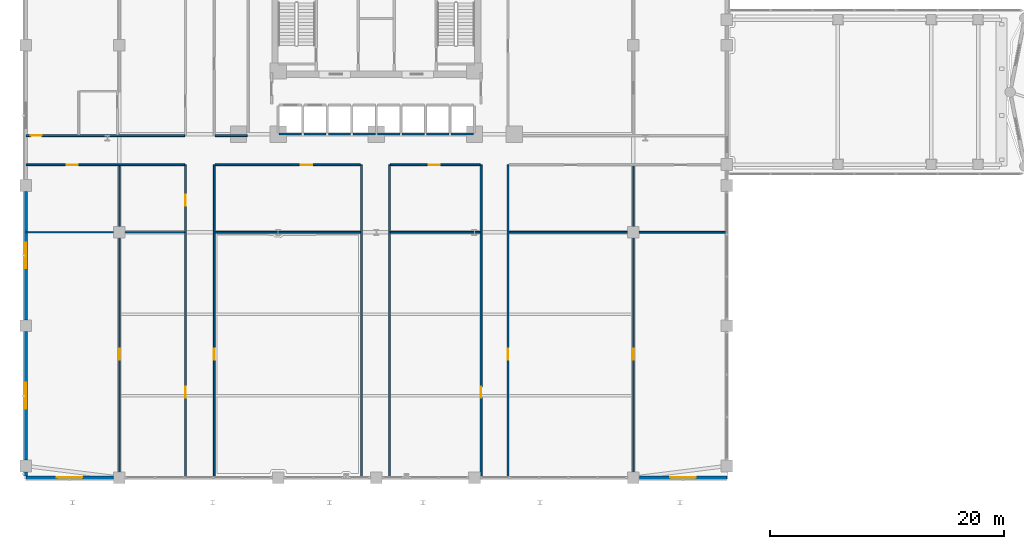
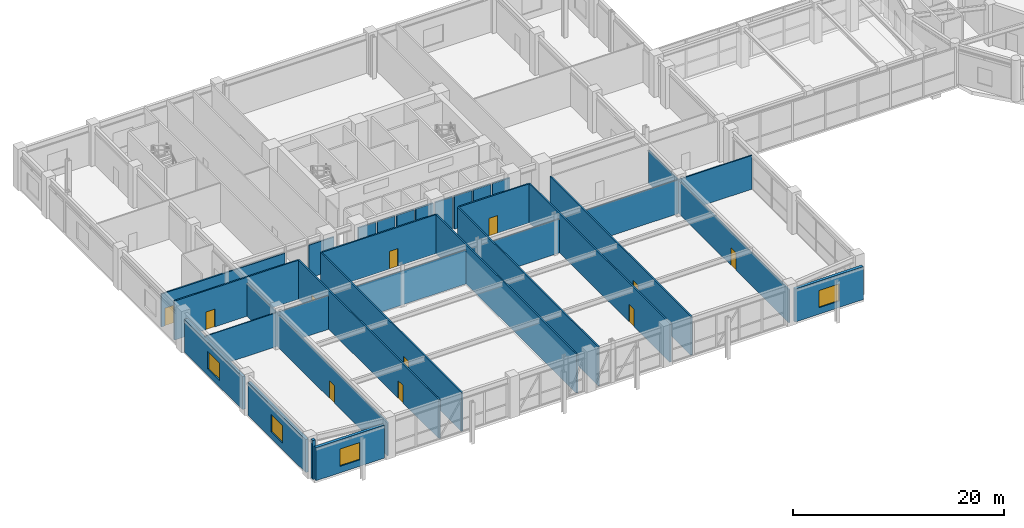
# One storey, part 32 of 48: 30 walls, 11 doors, 4 windows, 15 openings.
"""IFC4 building model written with IfcOpenShell, lengths in metres."""

from ifc_helpers import new_model, si_unit, derived_unit, direction, frame, frame_2d, origin, place, context, subcontext, project, spatial, rectangle, extrude, material, layer, layer_set, type_object, element, fill, save


model = new_model("IFC4")

# Units and contexts
model_context = context("Model", 3, precision=1e-05, world=origin(), true_north=direction((0.0, 1.0)))
body_context = subcontext(model_context, "Body", "Model", "MODEL_VIEW")
ifc_project = project(units=[si_unit("LENGTHUNIT", "METRE"), si_unit("AREAUNIT", "SQUARE_METRE"), si_unit("VOLUMEUNIT", "CUBIC_METRE"), si_unit("PLANEANGLEUNIT", "RADIAN"), si_unit("MASSUNIT", "GRAM", prefix="KILO"), derived_unit("THERMALTRANSMITTANCEUNIT", [(si_unit("POWERUNIT", "WATT"), 1), (si_unit("LENGTHUNIT", "METRE"), -2), (si_unit("THERMODYNAMICTEMPERATUREUNIT", "KELVIN"), -1)])], contexts=[model_context])

# Site, building, storey
site_placement = place(None, origin())
site = spatial("IfcSite", under=ifc_project, at=site_placement, CompositionType="ELEMENT")
building_placement = place(site_placement, origin())
building = spatial("IfcBuilding", under=site, at=building_placement, Name="Korsvarv Bourse and Concert Hall", CompositionType="ELEMENT")
storey_placement = place(building_placement, frame((0.0, 0.0, 4.800048828125)))
storey = spatial("IfcBuildingStorey", under=building, at=storey_placement, Name="L01", CompositionType="ELEMENT", Elevation=4.800048828125)

# Wall, opening, window
ifc_material_1 = material(Name="Precast concrete C45/55 with granite and terracotta", Category="concrete")
ifc_layer_1 = layer(ifc_material_1, 0.320068359375)
ifc_layer_set_1 = layer_set([ifc_layer_1], Name="Precast concrete C45/55 with granite and terracotta")
wall_type_1 = type_object("IfcWallType", Name="WL-EXT-POD", PredefinedType="SOLIDWALL", material=ifc_layer_set_1)
wall_1_placement = place(storey_placement, frame((6.0, 3.0, 0.0), z_axis=(0.0, 0.0, 1.0), x_axis=(1.0, 0.0, 0.0)))
wall_1 = element("IfcWall", 1, at=wall_1_placement, inside=storey, type_object=wall_type_1, Name="L01 terracotta exterior wall EW-L01-S1", PredefinedType="SOLIDWALL", context=body_context, shape_type="SweptSolid", body=[
    extrude(rectangle(XDim=7.4951171875, YDim=0.320068359375, at=frame_2d((3.74755859375, 0.0))), origin(), (0.0, 0.0, 1.0), 3.820068359375),
])
opening_1_placement = place(wall_1_placement, frame((2.6474609375, 0.0, 0.75)))
opening_1 = element("IfcOpeningElement", 2, at=opening_1_placement, cuts=wall_1, Name="Opening W-03", PredefinedType="OPENING", context=body_context, shape_type="SweptSolid", body=[
    extrude(rectangle(XDim=2.199951171875, YDim=2.0, at=frame_2d((1.10009765625, 1.0))), frame((0.0, 0.169921875, 0.0), z_axis=(0.0, -1.0, 0.0), x_axis=(1.0, 0.0, 0.0)), (0.0, 0.0, 1.0), 0.340087890625),
])
ifc_material_2 = material(Name="Thermally broken aluminium frame with triple low-E glass", Category="glass")
window_type = type_object("IfcWindowType", Name="WIN-POD1", PartitioningType="SINGLE_PANEL", PredefinedType="WINDOW", material=ifc_material_2)
window_1_placement = place(opening_1_placement, origin())
window_1 = element("IfcWindow", 3, at=window_1_placement, inside=storey, type_object=window_type, Name="L01 punched facade window W-03", OverallHeight=2.0, OverallWidth=2.199951171875, PartitioningType="SINGLE_PANEL", PredefinedType="WINDOW", context=body_context, shape_type="SweptSolid", body=[
    extrude(rectangle(XDim=2.199951171875, YDim=2.0, at=frame_2d((1.10009765625, 1.0))), frame((0.0, 0.030029296875, 0.0), z_axis=(0.0, -1.0, 0.0), x_axis=(1.0, 0.0, 0.0)), (0.0, 0.0, 1.0), 0.06005859375),
])
fill(opening_1, window_1)

wall_2_placement = place(storey_placement, frame((58.5048828125, 3.0, 0.0), z_axis=(0.0, 0.0, 1.0), x_axis=(1.0, 0.0, 0.0)))
wall_2 = element("IfcWall", 4, at=wall_2_placement, inside=storey, type_object=wall_type_1, Name="L01 terracotta exterior wall EW-L01-S6", PredefinedType="SOLIDWALL", context=body_context, shape_type="SweptSolid", body=[
    extrude(rectangle(XDim=7.4951171875, YDim=0.320068359375, at=frame_2d((3.74755859375, 0.0))), origin(), (0.0, 0.0, 1.0), 3.820068359375),
])
opening_2_placement = place(wall_2_placement, frame((2.6474609375, 0.0, 0.75)))
opening_2 = element("IfcOpeningElement", 5, at=opening_2_placement, cuts=wall_2, Name="Opening W-03", PredefinedType="OPENING", context=body_context, shape_type="SweptSolid", body=[
    extrude(rectangle(XDim=2.199951171875, YDim=2.0, at=frame_2d((1.10009765625, 1.0))), frame((0.0, 0.169921875, 0.0), z_axis=(0.0, -1.0, 0.0), x_axis=(1.0, 0.0, 0.0)), (0.0, 0.0, 1.0), 0.340087890625),
])
window_2_placement = place(opening_2_placement, origin())
window_2 = element("IfcWindow", 6, at=window_2_placement, inside=storey, type_object=window_type, Name="L01 punched facade window W-03", OverallHeight=2.0, OverallWidth=2.199951171875, PartitioningType="SINGLE_PANEL", PredefinedType="WINDOW", context=body_context, shape_type="SweptSolid", body=[
    extrude(rectangle(XDim=2.199951171875, YDim=2.0, at=frame_2d((1.10009765625, 1.0))), frame((0.0, 0.030029296875, 0.0), z_axis=(0.0, -1.0, 0.0), x_axis=(1.0, 0.0, 0.0)), (0.0, 0.0, 1.0), 0.06005859375),
])
fill(opening_2, window_2)

# Wall
wall_3_placement = place(storey_placement, frame((6.0, 3.159912109375, 0.0), z_axis=(0.0, 0.0, 1.0), x_axis=(0.0, 1.0, 0.0)))
element("IfcWall", 7, at=wall_3_placement, inside=storey, type_object=wall_type_1, Name="L01 terracotta exterior wall EW-L01-W1-1", PredefinedType="SOLIDWALL", context=body_context, shape_type="SweptSolid", body=[
    extrude(rectangle(XDim=0.335205078125, YDim=0.320068359375, at=frame_2d((0.16748046875, 0.0))), origin(), (0.0, 0.0, 1.0), 4.52001953125),
])

# Wall, opening, window
wall_4_placement = place(storey_placement, frame((6.0, 4.5048828125, 0.0), z_axis=(0.0, 0.0, 1.0), x_axis=(0.0, 1.0, 0.0)))
wall_4 = element("IfcWall", 8, at=wall_4_placement, inside=storey, type_object=wall_type_1, Name="L01 terracotta exterior wall EW-L01-W1-2", PredefinedType="SOLIDWALL", context=body_context, shape_type="SweptSolid", body=[
    extrude(rectangle(XDim=10.990234375, YDim=0.320068359375, at=frame_2d((5.4951171875, 0.0))), origin(), (0.0, 0.0, 1.0), 3.820068359375),
])
opening_3_placement = place(wall_4_placement, frame((4.39501953125, 0.0, 0.75)))
opening_3 = element("IfcOpeningElement", 9, at=opening_3_placement, cuts=wall_4, Name="Opening W-03", PredefinedType="OPENING", context=body_context, shape_type="SweptSolid", body=[
    extrude(rectangle(XDim=2.199951171875, YDim=2.0, at=frame_2d((1.10009765625, 1.0))), frame((0.0, 0.169921875, 0.0), z_axis=(0.0, -1.0, 0.0), x_axis=(1.0, 0.0, 0.0)), (0.0, 0.0, 1.0), 0.340087890625),
])
window_3_placement = place(opening_3_placement, origin())
window_3 = element("IfcWindow", 10, at=window_3_placement, inside=storey, type_object=window_type, Name="L01 punched facade window W-03", OverallHeight=2.0, OverallWidth=2.199951171875, PartitioningType="SINGLE_PANEL", PredefinedType="WINDOW", context=body_context, shape_type="SweptSolid", body=[
    extrude(rectangle(XDim=2.199951171875, YDim=2.0, at=frame_2d((1.10009765625, 1.0))), frame((0.0, 0.030029296875, 0.0), z_axis=(0.0, -1.0, 0.0), x_axis=(1.0, 0.0, 0.0)), (0.0, 0.0, 1.0), 0.06005859375),
])
fill(opening_3, window_3)

wall_5_placement = place(storey_placement, frame((6.0, 16.5048828125, 0.0), z_axis=(0.0, 0.0, 1.0), x_axis=(0.0, 1.0, 0.0)))
wall_5 = element("IfcWall", 11, at=wall_5_placement, inside=storey, type_object=wall_type_1, Name="L01 terracotta exterior wall EW-L01-W2", PredefinedType="SOLIDWALL", context=body_context, shape_type="SweptSolid", body=[
    extrude(rectangle(XDim=10.990234375, YDim=0.320068359375, at=frame_2d((5.4951171875, 0.0))), origin(), (0.0, 0.0, 1.0), 3.820068359375),
])
opening_4_placement = place(wall_5_placement, frame((4.39501953125, 0.0, 0.75)))
opening_4 = element("IfcOpeningElement", 12, at=opening_4_placement, cuts=wall_5, Name="Opening W-03", PredefinedType="OPENING", context=body_context, shape_type="SweptSolid", body=[
    extrude(rectangle(XDim=2.199951171875, YDim=2.0, at=frame_2d((1.10009765625, 1.0))), frame((0.0, 0.169921875, 0.0), z_axis=(0.0, -1.0, 0.0), x_axis=(1.0, 0.0, 0.0)), (0.0, 0.0, 1.0), 0.340087890625),
])
window_4_placement = place(opening_4_placement, origin())
window_4 = element("IfcWindow", 13, at=window_4_placement, inside=storey, type_object=window_type, Name="L01 punched facade window W-03", OverallHeight=2.0, OverallWidth=2.199951171875, PartitioningType="SINGLE_PANEL", PredefinedType="WINDOW", context=body_context, shape_type="SweptSolid", body=[
    extrude(rectangle(XDim=2.199951171875, YDim=2.0, at=frame_2d((1.10009765625, 1.0))), frame((0.0, 0.030029296875, 0.0), z_axis=(0.0, -1.0, 0.0), x_axis=(1.0, 0.0, 0.0)), (0.0, 0.0, 1.0), 0.06005859375),
])
fill(opening_4, window_4)

# Wall, opening, door
ifc_material_3 = material(Name="Double-stud fire-rated acoustic partition", Category="gypsum")
ifc_layer_2 = layer(ifc_material_3, 0.159912109375)
ifc_layer_set_2 = layer_set([ifc_layer_2], Name="Double-stud fire-rated acoustic partition")
wall_type_2 = type_object("IfcWallType", Name="WL-INT-EI60", PredefinedType="PARTITIONING", material=ifc_layer_set_2)
wall_6_placement = place(storey_placement, frame((47.27490234375, 3.02001953125, 0.0), z_axis=(0.0, 0.0, 1.0), x_axis=(0.0, 1.0, 0.0)))
wall_6 = element("IfcWall", 14, at=wall_6_placement, inside=storey, type_object=wall_type_2, Name="L01 interior partition wall W-L01-PCOR-01", PredefinedType="PARTITIONING", context=body_context, shape_type="SweptSolid", body=[
    extrude(rectangle(XDim=26.760009765625, YDim=0.159912109375, at=frame_2d((13.3798828125, 0.0))), origin(), (0.0, 0.0, 1.0), 4.52001953125),
])
opening_5_placement = place(wall_6_placement, frame((10.070068359375, 0.0, 0.0)))
opening_5 = element("IfcOpeningElement", 15, at=opening_5_placement, cuts=wall_6, Name="Opening D-02", PredefinedType="OPENING", context=body_context, shape_type="SweptSolid", body=[
    extrude(rectangle(XDim=0.949951171875, YDim=2.050048828125, at=frame_2d((0.47509765625, 1.02490234375))), frame((0.0, 0.08984375, 0.0), z_axis=(0.0, -1.0, 0.0), x_axis=(1.0, 0.0, 0.0)), (0.0, 0.0, 1.0), 0.179931640625),
])
ifc_material_4 = material(Name="Timber and steel acoustic fire door", Category="wood")
door_type_1 = type_object("IfcDoorType", Name="DR-FD30", OperationType="NOTDEFINED", PredefinedType="DOOR", material=ifc_material_4)
door_1_placement = place(opening_5_placement, origin())
door_1 = element("IfcDoor", 16, at=door_1_placement, inside=storey, type_object=door_type_1, Name="L01 interior door DR-L01-PCOR-RM11", OperationType="SINGLE_SWING_LEFT", OverallHeight=2.050048828125, OverallWidth=0.949951171875, PredefinedType="DOOR", context=body_context, shape_type="SweptSolid", body=[
    extrude(rectangle(XDim=0.949951171875, YDim=2.050048828125, at=frame_2d((0.47509765625, 1.02490234375))), frame((0.0, 0.02490234375, 0.0), z_axis=(0.0, -1.0, 0.0), x_axis=(1.0, 0.0, 0.0)), (0.0, 0.0, 1.0), 0.050048828125),
])
fill(opening_5, door_1)

wall_7_placement = place(storey_placement, frame((44.965087890625, 3.02001953125, 0.0), z_axis=(0.0, 0.0, 1.0), x_axis=(0.0, 1.0, 0.0)))
wall_7 = element("IfcWall", 17, at=wall_7_placement, inside=storey, type_object=wall_type_2, Name="L01 interior partition wall W-L01-PCOR-02", PredefinedType="PARTITIONING", context=body_context, shape_type="SweptSolid", body=[
    extrude(rectangle(XDim=26.760009765625, YDim=0.159912109375, at=frame_2d((13.3798828125, 0.0))), origin(), (0.0, 0.0, 1.0), 4.52001953125),
])
opening_6_placement = place(wall_7_placement, frame((6.820068359375, 0.0, 0.0)))
opening_6 = element("IfcOpeningElement", 18, at=opening_6_placement, cuts=wall_7, Name="Opening D-02", PredefinedType="OPENING", context=body_context, shape_type="SweptSolid", body=[
    extrude(rectangle(XDim=0.949951171875, YDim=2.050048828125, at=frame_2d((0.47509765625, 1.02490234375))), frame((0.0, 0.08984375, 0.0), z_axis=(0.0, -1.0, 0.0), x_axis=(1.0, 0.0, 0.0)), (0.0, 0.0, 1.0), 0.179931640625),
])
door_2_placement = place(opening_6_placement, origin())
door_2 = element("IfcDoor", 19, at=door_2_placement, inside=storey, type_object=door_type_1, Name="L01 interior door DR-L01-PCOR-HALL9", OperationType="SINGLE_SWING_RIGHT", OverallHeight=2.050048828125, OverallWidth=0.949951171875, PredefinedType="DOOR", context=body_context, shape_type="SweptSolid", body=[
    extrude(rectangle(XDim=0.949951171875, YDim=2.050048828125, at=frame_2d((0.47509765625, 1.02490234375))), frame((0.0, 0.02490234375, 0.0), z_axis=(0.0, -1.0, 0.0), x_axis=(1.0, 0.0, 0.0)), (0.0, 0.0, 1.0), 0.050048828125),
])
fill(opening_6, door_2)

# Wall
wall_8_placement = place(storey_placement, frame((37.125, 3.02001953125, 0.0), z_axis=(0.0, 0.0, 1.0), x_axis=(0.0, 1.0, 0.0)))
element("IfcWall", 20, at=wall_8_placement, inside=storey, type_object=wall_type_2, Name="L01 interior partition wall W-L01-PCOR-03", PredefinedType="PARTITIONING", context=body_context, shape_type="SweptSolid", body=[
    extrude(rectangle(XDim=26.760009765625, YDim=0.159912109375, at=frame_2d((13.3798828125, 0.0))), origin(), (0.0, 0.0, 1.0), 4.52001953125),
])

# Wall, opening, door
wall_9_placement = place(storey_placement, frame((22.125, 3.02001953125, 0.0), z_axis=(0.0, 0.0, 1.0), x_axis=(0.0, 1.0, 0.0)))
wall_9 = element("IfcWall", 21, at=wall_9_placement, inside=storey, type_object=wall_type_2, Name="L01 interior partition wall W-L01-PCOR-04", PredefinedType="PARTITIONING", context=body_context, shape_type="SweptSolid", body=[
    extrude(rectangle(XDim=26.760009765625, YDim=0.159912109375, at=frame_2d((13.3798828125, 0.0))), origin(), (0.0, 0.0, 1.0), 4.52001953125),
])
opening_7_placement = place(wall_9_placement, frame((10.070068359375, 0.0, 0.0)))
opening_7 = element("IfcOpeningElement", 22, at=opening_7_placement, cuts=wall_9, Name="Opening D-02", PredefinedType="OPENING", context=body_context, shape_type="SweptSolid", body=[
    extrude(rectangle(XDim=0.949951171875, YDim=2.050048828125, at=frame_2d((0.47509765625, 1.02490234375))), frame((0.0, 0.08984375, 0.0), z_axis=(0.0, -1.0, 0.0), x_axis=(1.0, 0.0, 0.0)), (0.0, 0.0, 1.0), 0.179931640625),
])
door_3_placement = place(opening_7_placement, origin())
door_3 = element("IfcDoor", 23, at=door_3_placement, inside=storey, type_object=door_type_1, Name="L01 interior door DR-L01-PCOR-RM1212", OperationType="SINGLE_SWING_LEFT", OverallHeight=2.050048828125, OverallWidth=0.949951171875, PredefinedType="DOOR", context=body_context, shape_type="SweptSolid", body=[
    extrude(rectangle(XDim=0.949951171875, YDim=2.050048828125, at=frame_2d((0.47509765625, 1.02490234375))), frame((0.0, 0.02490234375, 0.0), z_axis=(0.0, -1.0, 0.0), x_axis=(1.0, 0.0, 0.0)), (0.0, 0.0, 1.0), 0.050048828125),
])
fill(opening_7, door_3)

# Wall
wall_10_placement = place(storey_placement, frame((34.72509765625, 3.02001953125, 0.0), z_axis=(0.0, 0.0, 1.0), x_axis=(0.0, 1.0, 0.0)))
element("IfcWall", 24, at=wall_10_placement, inside=storey, type_object=wall_type_2, Name="L01 interior partition wall W-L01-PCOR-05", PredefinedType="PARTITIONING", context=body_context, shape_type="SweptSolid", body=[
    extrude(rectangle(XDim=26.760009765625, YDim=0.159912109375, at=frame_2d((13.3798828125, 0.0))), origin(), (0.0, 0.0, 1.0), 4.52001953125),
])

# Wall, openings, doors
wall_11_placement = place(storey_placement, frame((19.6650390625, 3.02001953125, 0.0), z_axis=(0.0, 0.0, 1.0), x_axis=(0.0, 1.0, 0.0)))
wall_11 = element("IfcWall", 25, at=wall_11_placement, inside=storey, type_object=wall_type_2, Name="L01 interior partition wall W-L01-PCOR-06", PredefinedType="PARTITIONING", context=body_context, shape_type="SweptSolid", body=[
    extrude(rectangle(XDim=26.760009765625, YDim=0.159912109375, at=frame_2d((13.3798828125, 0.0))), origin(), (0.0, 0.0, 1.0), 4.52001953125),
])
opening_8_placement = place(wall_11_placement, frame((6.820068359375, 0.0, 0.0)))
opening_8 = element("IfcOpeningElement", 26, at=opening_8_placement, cuts=wall_11, Name="Opening D-02", PredefinedType="OPENING", context=body_context, shape_type="SweptSolid", body=[
    extrude(rectangle(XDim=0.949951171875, YDim=2.050048828125, at=frame_2d((0.47509765625, 1.02490234375))), frame((0.0, 0.08984375, 0.0), z_axis=(0.0, -1.0, 0.0), x_axis=(1.0, 0.0, 0.0)), (0.0, 0.0, 1.0), 0.179931640625),
])
opening_9_placement = place(wall_11_placement, frame((23.237548828125, 0.0, 0.0)))
opening_9 = element("IfcOpeningElement", 27, at=opening_9_placement, cuts=wall_11, Name="Opening D-02", PredefinedType="OPENING", context=body_context, shape_type="SweptSolid", body=[
    extrude(rectangle(XDim=0.949951171875, YDim=2.050048828125, at=frame_2d((0.47509765625, 1.02490234375))), frame((0.0, 0.08984375, 0.0), z_axis=(0.0, -1.0, 0.0), x_axis=(1.0, 0.0, 0.0)), (0.0, 0.0, 1.0), 0.179931640625),
])
door_4_placement = place(opening_8_placement, origin())
door_4 = element("IfcDoor", 28, at=door_4_placement, inside=storey, type_object=door_type_1, Name="L01 interior door DR-L01-PCOR-RM1717", OperationType="SINGLE_SWING_RIGHT", OverallHeight=2.050048828125, OverallWidth=0.949951171875, PredefinedType="DOOR", context=body_context, shape_type="SweptSolid", body=[
    extrude(rectangle(XDim=0.949951171875, YDim=2.050048828125, at=frame_2d((0.47509765625, 1.02490234375))), frame((0.0, 0.02490234375, 0.0), z_axis=(0.0, -1.0, 0.0), x_axis=(1.0, 0.0, 0.0)), (0.0, 0.0, 1.0), 0.050048828125),
])
fill(opening_8, door_4)
door_5_placement = place(opening_9_placement, origin())
door_5 = element("IfcDoor", 29, at=door_5_placement, inside=storey, type_object=door_type_1, Name="L01 interior door DR-L01-PCOR-RM1919", OperationType="SINGLE_SWING_LEFT", OverallHeight=2.050048828125, OverallWidth=0.949951171875, PredefinedType="DOOR", context=body_context, shape_type="SweptSolid", body=[
    extrude(rectangle(XDim=0.949951171875, YDim=2.050048828125, at=frame_2d((0.47509765625, 1.02490234375))), frame((0.0, 0.02490234375, 0.0), z_axis=(0.0, -1.0, 0.0), x_axis=(1.0, 0.0, 0.0)), (0.0, 0.0, 1.0), 0.050048828125),
])
fill(opening_9, door_5)

# Wall, opening, door
wall_12_placement = place(storey_placement, frame((6.02001953125, 32.27490234375, 0.0), z_axis=(0.0, 0.0, 1.0), x_axis=(1.0, 0.0, 0.0)))
wall_12 = element("IfcWall", 30, at=wall_12_placement, inside=storey, type_object=wall_type_2, Name="L01 interior partition wall W-L01-PCOR-13", PredefinedType="PARTITIONING", context=body_context, shape_type="SweptSolid", body=[
    extrude(rectangle(XDim=13.56298828125, YDim=0.159912109375, at=frame_2d((6.781494140625, 0.0))), origin(), (0.0, 0.0, 1.0), 3.820068359375),
])
opening_10_placement = place(wall_12_placement, frame((0.3798828125, 0.0, 0.0)))
opening_10 = element("IfcOpeningElement", 31, at=opening_10_placement, cuts=wall_12, Name="Opening D-02", PredefinedType="OPENING", context=body_context, shape_type="SweptSolid", body=[
    extrude(rectangle(XDim=0.949951171875, YDim=2.050048828125, at=frame_2d((0.47509765625, 1.02490234375))), frame((0.0, 0.08984375, 0.0), z_axis=(0.0, -1.0, 0.0), x_axis=(1.0, 0.0, 0.0)), (0.0, 0.0, 1.0), 0.179931640625),
])
door_6_placement = place(opening_10_placement, origin())
door_6 = element("IfcDoor", 32, at=door_6_placement, inside=storey, type_object=door_type_1, Name="L01 interior door DR-L01-PCOR-RM2020", OperationType="SINGLE_SWING_LEFT", OverallHeight=2.050048828125, OverallWidth=0.949951171875, PredefinedType="DOOR", context=body_context, shape_type="SweptSolid", body=[
    extrude(rectangle(XDim=0.949951171875, YDim=2.050048828125, at=frame_2d((0.47509765625, 1.02490234375))), frame((0.0, 0.02490234375, 0.0), z_axis=(0.0, -1.0, 0.0), x_axis=(1.0, 0.0, 0.0)), (0.0, 0.0, 1.0), 0.050048828125),
])
fill(opening_10, door_6)

wall_13_placement = place(storey_placement, frame((6.02001953125, 29.77490234375, 0.0), z_axis=(0.0, 0.0, 1.0), x_axis=(1.0, 0.0, 0.0)))
wall_13 = element("IfcWall", 33, at=wall_13_placement, inside=storey, type_object=wall_type_2, Name="L01 interior partition wall W-L01-PCOR-14", PredefinedType="PARTITIONING", context=body_context, shape_type="SweptSolid", body=[
    extrude(rectangle(XDim=13.56298828125, YDim=0.159912109375, at=frame_2d((6.781494140625, 0.0))), origin(), (0.0, 0.0, 1.0), 4.52001953125),
])
opening_11_placement = place(wall_13_placement, frame((3.465087890625, 0.0, 0.0)))
opening_11 = element("IfcOpeningElement", 34, at=opening_11_placement, cuts=wall_13, Name="Opening D-02", PredefinedType="OPENING", context=body_context, shape_type="SweptSolid", body=[
    extrude(rectangle(XDim=0.949951171875, YDim=2.050048828125, at=frame_2d((0.47509765625, 1.02490234375))), frame((0.0, 0.08984375, 0.0), z_axis=(0.0, -1.0, 0.0), x_axis=(1.0, 0.0, 0.0)), (0.0, 0.0, 1.0), 0.179931640625),
])
door_7_placement = place(opening_11_placement, origin())
door_7 = element("IfcDoor", 35, at=door_7_placement, inside=storey, type_object=door_type_1, Name="L01 interior door DR-L01-PCOR-RM1818", OperationType="SINGLE_SWING_RIGHT", OverallHeight=2.050048828125, OverallWidth=0.949951171875, PredefinedType="DOOR", context=body_context, shape_type="SweptSolid", body=[
    extrude(rectangle(XDim=0.949951171875, YDim=2.050048828125, at=frame_2d((0.47509765625, 1.02490234375))), frame((0.0, 0.02490234375, 0.0), z_axis=(0.0, -1.0, 0.0), x_axis=(1.0, 0.0, 0.0)), (0.0, 0.0, 1.0), 0.050048828125),
])
fill(opening_11, door_7)

wall_14_placement = place(storey_placement, frame((22.20703125, 29.77490234375, 0.0), z_axis=(0.0, 0.0, 1.0), x_axis=(1.0, 0.0, 0.0)))
wall_14 = element("IfcWall", 36, at=wall_14_placement, inside=storey, type_object=wall_type_2, Name="L01 interior partition wall W-L01-PCOR-15", PredefinedType="PARTITIONING", context=body_context, shape_type="SweptSolid", body=[
    extrude(rectangle(XDim=12.43603515625, YDim=0.159912109375, at=frame_2d((6.218017578125, 0.0))), origin(), (0.0, 0.0, 1.0), 4.52001953125),
])
opening_12_placement = place(wall_14_placement, frame((7.337890625, 0.0, 0.0)))
opening_12 = element("IfcOpeningElement", 37, at=opening_12_placement, cuts=wall_14, Name="Opening D-02", PredefinedType="OPENING", context=body_context, shape_type="SweptSolid", body=[
    extrude(rectangle(XDim=0.949951171875, YDim=2.050048828125, at=frame_2d((0.47509765625, 1.02490234375))), frame((0.0, 0.08984375, 0.0), z_axis=(0.0, -1.0, 0.0), x_axis=(1.0, 0.0, 0.0)), (0.0, 0.0, 1.0), 0.179931640625),
])
door_8_placement = place(opening_12_placement, origin())
door_8 = element("IfcDoor", 38, at=door_8_placement, inside=storey, type_object=door_type_1, Name="L01 interior door DR-L01-PCOR-RM1313", OperationType="SINGLE_SWING_LEFT", OverallHeight=2.050048828125, OverallWidth=0.949951171875, PredefinedType="DOOR", context=body_context, shape_type="SweptSolid", body=[
    extrude(rectangle(XDim=0.949951171875, YDim=2.050048828125, at=frame_2d((0.47509765625, 1.02490234375))), frame((0.0, 0.02490234375, 0.0), z_axis=(0.0, -1.0, 0.0), x_axis=(1.0, 0.0, 0.0)), (0.0, 0.0, 1.0), 0.050048828125),
])
fill(opening_12, door_8)

wall_15_placement = place(storey_placement, frame((37.20703125, 29.77490234375, 0.0), z_axis=(0.0, 0.0, 1.0), x_axis=(1.0, 0.0, 0.0)))
wall_15 = element("IfcWall", 39, at=wall_15_placement, inside=storey, type_object=wall_type_2, Name="L01 interior partition wall W-L01-PCOR-18", PredefinedType="PARTITIONING", context=body_context, shape_type="SweptSolid", body=[
    extrude(rectangle(XDim=7.676025390625, YDim=0.159912109375, at=frame_2d((3.837890625, 0.0))), origin(), (0.0, 0.0, 1.0), 4.52001953125),
])
opening_13_placement = place(wall_15_placement, frame((3.258056640625, 0.0, 0.0)))
opening_13 = element("IfcOpeningElement", 40, at=opening_13_placement, cuts=wall_15, Name="Opening D-02", PredefinedType="OPENING", context=body_context, shape_type="SweptSolid", body=[
    extrude(rectangle(XDim=0.949951171875, YDim=2.050048828125, at=frame_2d((0.47509765625, 1.02490234375))), frame((0.0, 0.08984375, 0.0), z_axis=(0.0, -1.0, 0.0), x_axis=(1.0, 0.0, 0.0)), (0.0, 0.0, 1.0), 0.179931640625),
])
door_9_placement = place(opening_13_placement, origin())
door_9 = element("IfcDoor", 41, at=door_9_placement, inside=storey, type_object=door_type_1, Name="L01 interior door DR-L01-PCOR-MID10", OperationType="SINGLE_SWING_LEFT", OverallHeight=2.050048828125, OverallWidth=0.949951171875, PredefinedType="DOOR", context=body_context, shape_type="SweptSolid", body=[
    extrude(rectangle(XDim=0.949951171875, YDim=2.050048828125, at=frame_2d((0.47509765625, 1.02490234375))), frame((0.0, 0.02490234375, 0.0), z_axis=(0.0, -1.0, 0.0), x_axis=(1.0, 0.0, 0.0)), (0.0, 0.0, 1.0), 0.050048828125),
])
fill(opening_13, door_9)

# Walls
wall_16_placement = place(storey_placement, frame((22.20703125, 32.27490234375, 0.0), z_axis=(0.0, 0.0, 1.0), x_axis=(1.0, 0.0, 0.0)))
element("IfcWall", 42, at=wall_16_placement, inside=storey, type_object=wall_type_2, Name="L01 interior partition wall W-L01-PCOR-21", PredefinedType="PARTITIONING", context=body_context, shape_type="SweptSolid", body=[
    extrude(rectangle(XDim=2.736083984375, YDim=0.159912109375, at=frame_2d((1.3681640625, 0.0))), origin(), (0.0, 0.0, 1.0), 3.820068359375),
])
ifc_material_5 = material(Name="Gypsum-clad autoclaved concrete shaft wall C30/37", Category="concrete")
ifc_layer_3 = layer(ifc_material_5, 0.179931640625)
ifc_layer_set_3 = layer_set([ifc_layer_3], Name="Gypsum-clad autoclaved concrete shaft wall C30/37")
wall_type_3 = type_object("IfcWallType", Name="WL-INT-EI90", PredefinedType="PARTITIONING", material=ifc_layer_set_3)
wall_17_placement = place(storey_placement, frame((27.68994140625, 32.39990234375, 0.0), z_axis=(0.0, 0.0, 1.0), x_axis=(1.0, 0.0, 0.0)))
element("IfcWall", 43, at=wall_17_placement, inside=storey, type_object=wall_type_3, Name="L01 interior partition wall W-L01-SHFS-PL1", PredefinedType="PARTITIONING", context=body_context, shape_type="SweptSolid", body=[
    extrude(rectangle(XDim=1.920166015625, YDim=0.179931640625, at=frame_2d((0.9599609375, 0.0))), origin(), (0.0, 0.0, 1.0), 3.820068359375),
])
wall_18_placement = place(storey_placement, frame((29.7900390625, 32.39990234375, 0.0), z_axis=(0.0, 0.0, 1.0), x_axis=(1.0, 0.0, 0.0)))
element("IfcWall", 44, at=wall_18_placement, inside=storey, type_object=wall_type_3, Name="L01 interior partition wall W-L01-SHFS-PL2", PredefinedType="PARTITIONING", context=body_context, shape_type="SweptSolid", body=[
    extrude(rectangle(XDim=1.919921875, YDim=0.179931640625, at=frame_2d((0.9599609375, 0.0))), origin(), (0.0, 0.0, 1.0), 3.820068359375),
])
wall_19_placement = place(storey_placement, frame((31.889892578125, 32.39990234375, 0.0), z_axis=(0.0, 0.0, 1.0), x_axis=(1.0, 0.0, 0.0)))
element("IfcWall", 45, at=wall_19_placement, inside=storey, type_object=wall_type_3, Name="L01 interior partition wall W-L01-SHFS-PM1", PredefinedType="PARTITIONING", context=body_context, shape_type="SweptSolid", body=[
    extrude(rectangle(XDim=1.920166015625, YDim=0.179931640625, at=frame_2d((0.9599609375, 0.0))), origin(), (0.0, 0.0, 1.0), 3.820068359375),
])
for number, where, z_axis, x_axis, name in (
    (46, (33.989990234375, 32.39990234375, 0.0), (0.0, 0.0, 1.0), (1.0, 0.0, 0.0), "L01 interior partition wall W-L01-SHFS-PM2"),
    (47, (36.090087890625, 32.39990234375, 0.0), (0.0, 0.0, 1.0), (1.0, 0.0, 0.0), "L01 interior partition wall W-L01-SHFS-PH1"),
):
    element("IfcWall", number, at=place(storey_placement, frame(where, z_axis=z_axis, x_axis=x_axis)), inside=storey, type_object=wall_type_3, Name=name, PredefinedType="PARTITIONING", context=body_context, shape_type="SweptSolid", body=[
        extrude(rectangle(XDim=1.919921875, YDim=0.179931640625, at=frame_2d((0.9599609375, 0.0))), origin(), (0.0, 0.0, 1.0), 3.820068359375),
    ])
wall_20_placement = place(storey_placement, frame((38.18994140625, 32.39990234375, 0.0), z_axis=(0.0, 0.0, 1.0), x_axis=(1.0, 0.0, 0.0)))
element("IfcWall", 48, at=wall_20_placement, inside=storey, type_object=wall_type_3, Name="L01 interior partition wall W-L01-SHFS-PH2", PredefinedType="PARTITIONING", context=body_context, shape_type="SweptSolid", body=[
    extrude(rectangle(XDim=1.920166015625, YDim=0.179931640625, at=frame_2d((0.9599609375, 0.0))), origin(), (0.0, 0.0, 1.0), 3.820068359375),
])
wall_21_placement = place(storey_placement, frame((40.2900390625, 32.39990234375, 0.0), z_axis=(0.0, 0.0, 1.0), x_axis=(1.0, 0.0, 0.0)))
element("IfcWall", 49, at=wall_21_placement, inside=storey, type_object=wall_type_3, Name="L01 interior partition wall W-L01-SHFS-PO1", PredefinedType="PARTITIONING", context=body_context, shape_type="SweptSolid", body=[
    extrude(rectangle(XDim=1.919921875, YDim=0.179931640625, at=frame_2d((0.9599609375, 0.0))), origin(), (0.0, 0.0, 1.0), 3.820068359375),
])
wall_22_placement = place(storey_placement, frame((42.389892578125, 32.39990234375, 0.0), z_axis=(0.0, 0.0, 1.0), x_axis=(1.0, 0.0, 0.0)))
element("IfcWall", 50, at=wall_22_placement, inside=storey, type_object=wall_type_3, Name="L01 interior partition wall W-L01-SHFS-PO2", PredefinedType="PARTITIONING", context=body_context, shape_type="SweptSolid", body=[
    extrude(rectangle(XDim=1.920166015625, YDim=0.179931640625, at=frame_2d((0.9599609375, 0.0))), origin(), (0.0, 0.0, 1.0), 3.820068359375),
])
ifc_material_6 = material(Name="Demountable acoustic glass and aluminium dealing partition", Category="aluminium")
ifc_layer_4 = layer(ifc_material_6, 0.110107421875)
ifc_layer_set_4 = layer_set([ifc_layer_4], Name="Demountable acoustic glass and aluminium dealing partition")
wall_type_4 = type_object("IfcWallType", Name="WL-INT-MOV", PredefinedType="MOVABLE", material=ifc_layer_set_4)
wall_23_placement = place(storey_placement, frame((6.02001953125, 24.0048828125, 0.0), z_axis=(0.0, 0.0, 1.0), x_axis=(1.0, 0.0, 0.0)))
element("IfcWall", 51, at=wall_23_placement, inside=storey, type_object=wall_type_4, Name="L01 interior partition wall W-L01-PCOR-28", PredefinedType="MOVABLE", context=body_context, shape_type="SweptSolid", body=[
    extrude(rectangle(XDim=13.56298828125, YDim=0.110107421875, at=frame_2d((6.781494140625, 0.0))), origin(), (0.0, 0.0, 1.0), 3.919921875),
])

# Wall, opening, door
ifc_material_7 = material(Name="Insulated steel-stud office acoustic partition", Category="gypsum")
ifc_layer_5 = layer(ifc_material_7, 0.139892578125)
ifc_layer_set_5 = layer_set([ifc_layer_5], Name="Insulated steel-stud office acoustic partition")
wall_type_5 = type_object("IfcWallType", Name="WL-INT-P1", PredefinedType="PARTITIONING", material=ifc_layer_set_5)
wall_24_placement = place(storey_placement, frame((58.0048828125, 3.02001953125, 0.0), z_axis=(0.0, 0.0, 1.0), x_axis=(0.0, 1.0, 0.0)))
wall_24 = element("IfcWall", 52, at=wall_24_placement, inside=storey, type_object=wall_type_5, Name="L01 interior partition wall W-L01-PCOR-22", PredefinedType="PARTITIONING", context=body_context, shape_type="SweptSolid", body=[
    extrude(rectangle(XDim=26.673095703125, YDim=0.139892578125, at=frame_2d((13.33642578125, 0.0))), origin(), (0.0, 0.0, 1.0), 3.820068359375),
])
opening_14_placement = place(wall_24_placement, frame((10.070068359375, 0.0, 0.0)))
opening_14 = element("IfcOpeningElement", 53, at=opening_14_placement, cuts=wall_24, Name="Opening D-03", PredefinedType="OPENING", context=body_context, shape_type="SweptSolid", body=[
    extrude(rectangle(XDim=0.949951171875, YDim=2.050048828125, at=frame_2d((0.47509765625, 1.02490234375))), frame((0.0, 0.080078125, 0.0), z_axis=(0.0, -1.0, 0.0), x_axis=(1.0, 0.0, 0.0)), (0.0, 0.0, 1.0), 0.159912109375),
])
ifc_material_8 = material(Name="Nordic oak acoustic office door", Category="wood")
door_type_2 = type_object("IfcDoorType", Name="DR-INT-1", OperationType="NOTDEFINED", PredefinedType="DOOR", material=ifc_material_8)
door_10_placement = place(opening_14_placement, origin())
door_10 = element("IfcDoor", 54, at=door_10_placement, inside=storey, type_object=door_type_2, Name="L01 interior door DR-L01-PCOR-DEAL2", OperationType="SINGLE_SWING_LEFT", OverallHeight=2.050048828125, OverallWidth=0.949951171875, PredefinedType="DOOR", context=body_context, shape_type="SweptSolid", body=[
    extrude(rectangle(XDim=0.949951171875, YDim=2.050048828125, at=frame_2d((0.47509765625, 1.02490234375))), frame((0.0, 0.02490234375, 0.0), z_axis=(0.0, -1.0, 0.0), x_axis=(1.0, 0.0, 0.0)), (0.0, 0.0, 1.0), 0.050048828125),
])
fill(opening_14, door_10)

wall_25_placement = place(storey_placement, frame((14.0048828125, 3.02001953125, 0.0), z_axis=(0.0, 0.0, 1.0), x_axis=(0.0, 1.0, 0.0)))
wall_25 = element("IfcWall", 55, at=wall_25_placement, inside=storey, type_object=wall_type_5, Name="L01 interior partition wall W-L01-PCOR-23", PredefinedType="PARTITIONING", context=body_context, shape_type="SweptSolid", body=[
    extrude(rectangle(XDim=26.673095703125, YDim=0.139892578125, at=frame_2d((13.33642578125, 0.0))), origin(), (0.0, 0.0, 1.0), 3.820068359375),
])
opening_15_placement = place(wall_25_placement, frame((10.070068359375, 0.0, 0.0)))
opening_15 = element("IfcOpeningElement", 56, at=opening_15_placement, cuts=wall_25, Name="Opening D-03", PredefinedType="OPENING", context=body_context, shape_type="SweptSolid", body=[
    extrude(rectangle(XDim=0.949951171875, YDim=2.050048828125, at=frame_2d((0.47509765625, 1.02490234375))), frame((0.0, 0.080078125, 0.0), z_axis=(0.0, -1.0, 0.0), x_axis=(1.0, 0.0, 0.0)), (0.0, 0.0, 1.0), 0.159912109375),
])
door_11_placement = place(opening_15_placement, origin())
door_11 = element("IfcDoor", 57, at=door_11_placement, inside=storey, type_object=door_type_2, Name="L01 interior door DR-L01-PCOR-CLR16", OperationType="SINGLE_SWING_RIGHT", OverallHeight=2.050048828125, OverallWidth=0.949951171875, PredefinedType="DOOR", context=body_context, shape_type="SweptSolid", body=[
    extrude(rectangle(XDim=0.949951171875, YDim=2.050048828125, at=frame_2d((0.47509765625, 1.02490234375))), frame((0.0, 0.02490234375, 0.0), z_axis=(0.0, -1.0, 0.0), x_axis=(1.0, 0.0, 0.0)), (0.0, 0.0, 1.0), 0.050048828125),
])
fill(opening_15, door_11)

# Walls
wall_26_placement = place(storey_placement, frame((47.35693359375, 24.0048828125, 0.0), z_axis=(0.0, 0.0, 1.0), x_axis=(1.0, 0.0, 0.0)))
element("IfcWall", 58, at=wall_26_placement, inside=storey, type_object=wall_type_5, Name="L01 interior partition wall W-L01-PCOR-26", PredefinedType="PARTITIONING", context=body_context, shape_type="SweptSolid", body=[
    extrude(rectangle(XDim=18.623046875, YDim=0.139892578125, at=frame_2d((9.3115234375, 0.0))), origin(), (0.0, 0.0, 1.0), 3.919921875),
])
wall_27_placement = place(storey_placement, frame((22.20703125, 24.0048828125, 0.0), z_axis=(0.0, 0.0, 1.0), x_axis=(1.0, 0.0, 0.0)))
element("IfcWall", 59, at=wall_27_placement, inside=storey, type_object=wall_type_5, Name="L01 interior partition wall W-L01-PCOR-30", PredefinedType="PARTITIONING", context=body_context, shape_type="SweptSolid", body=[
    extrude(rectangle(XDim=12.43603515625, YDim=0.139892578125, at=frame_2d((6.218017578125, 0.0))), origin(), (0.0, 0.0, 1.0), 3.919921875),
])
wall_28_placement = place(storey_placement, frame((37.20703125, 24.0048828125, 0.0), z_axis=(0.0, 0.0, 1.0), x_axis=(1.0, 0.0, 0.0)))
element("IfcWall", 60, at=wall_28_placement, inside=storey, type_object=wall_type_5, Name="L01 interior partition wall W-L01-PCOR-31", PredefinedType="PARTITIONING", context=body_context, shape_type="SweptSolid", body=[
    extrude(rectangle(XDim=7.676025390625, YDim=0.139892578125, at=frame_2d((3.837890625, 0.0))), origin(), (0.0, 0.0, 1.0), 3.919921875),
])

save(model, "model.ifc")
